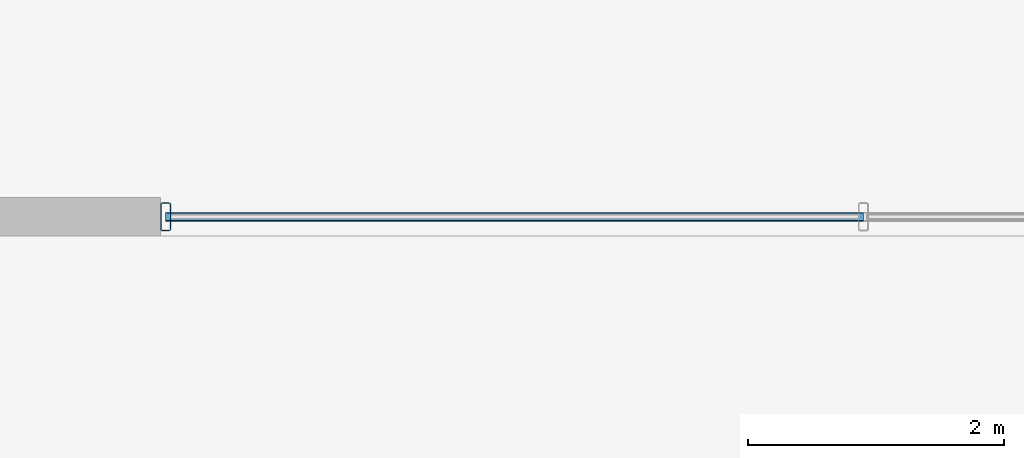
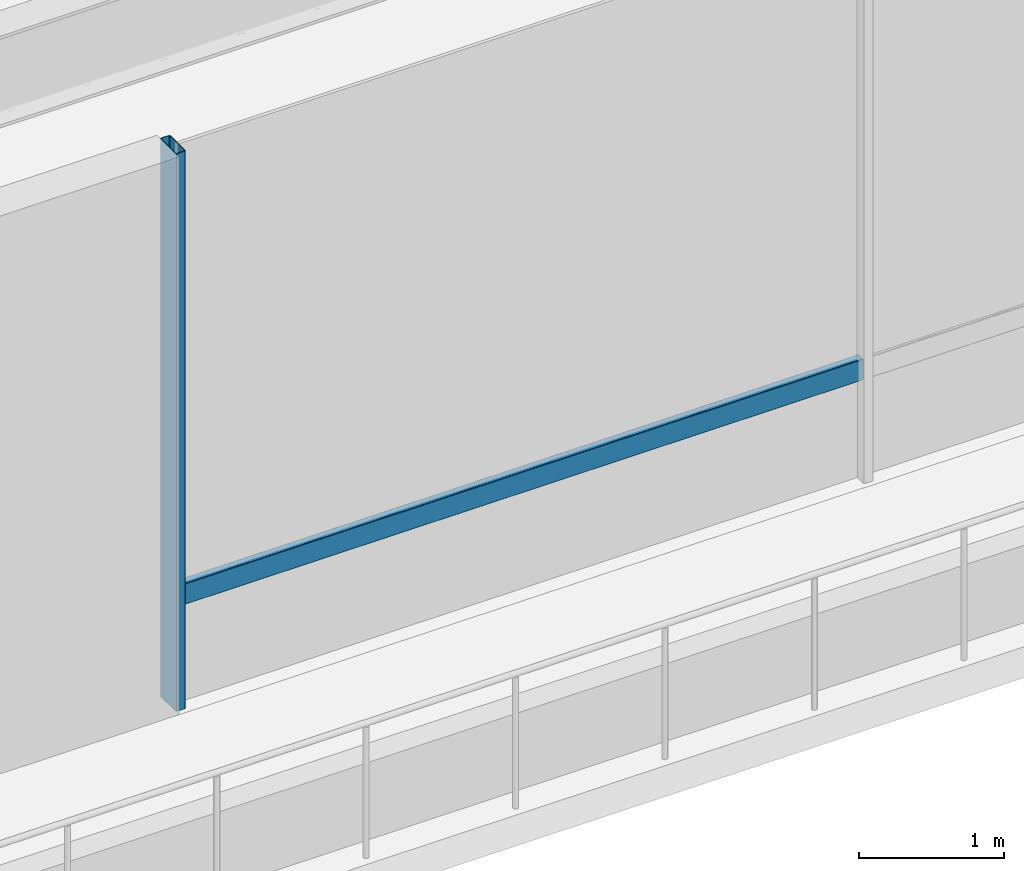
# One storey, part 8 of 38: 2 members, 1 element without a shape of its own.
"""IFC4 building model written with IfcOpenShell, lengths in metres."""

from ifc_helpers import new_model, si_unit, direction, frame, origin, origin_2d, place, context, subcontext, project, spatial, hollow_rectangle, extrude, material, layer, layer_set, material_profile, profile_set, type_object, element, aggregate, save


model = new_model("IFC4")

# Units and contexts
model_context = context("Model", 3, precision=1e-05, world=origin(), true_north=direction((0.0, 1.0)))
body_context = subcontext(model_context, "Body", "Model", "MODEL_VIEW")
ifc_project = project(units=[si_unit("LENGTHUNIT", "METRE"), si_unit("AREAUNIT", "SQUARE_METRE"), si_unit("VOLUMEUNIT", "CUBIC_METRE"), si_unit("PLANEANGLEUNIT", "RADIAN"), si_unit("MASSUNIT", "GRAM", prefix="KILO")], contexts=[model_context])

# Site, building, storey
site_placement = place(None, origin())
site = spatial("IfcSite", under=ifc_project, at=site_placement, CompositionType="ELEMENT")
building_placement = place(site_placement, origin())
building = spatial("IfcBuilding", under=site, at=building_placement, Name="Korimba Cascade Residences", CompositionType="ELEMENT")
storey_placement = place(building_placement, frame((0.0, 0.0, 19.0)))
storey = spatial("IfcBuildingStorey", under=building, at=storey_placement, Name="L04", CompositionType="ELEMENT", Elevation=19.0)

# Curtain wall, members
ifc_material_1 = material(Name="Anodised Aluminium Curtain Wall Framing", Category="aluminium")
ifc_layer = layer(ifc_material_1, 0.179931640625)
ifc_layer_set = layer_set([ifc_layer], Name="Anodised Aluminium Curtain Wall Framing")
curtain_wall_type = type_object("IfcCurtainWallType", Name="CW-POD-SYS1", PredefinedType="NOTDEFINED", material=ifc_layer_set)
curtain_wall_placement = place(storey_placement, origin())
curtain_wall = element("IfcCurtainWall", 1, at=curtain_wall_placement, inside=storey, type_object=curtain_wall_type, Name="L04 Curtain Wall CW-L04-POD-S", PredefinedType="NOTDEFINED")
ifc_material_2 = material(Name="Anodised Aluminium Mullion", Category="aluminium")
ifc_material_profile_1 = material_profile(ifc_material_2, hollow_rectangle(XDim=0.080078125, YDim=0.219970703125, WallThickness=0.00634765625, InnerFilletRadius=0.00634765625, OuterFilletRadius=0.0126953125, at=origin_2d()), Name="Anodised Aluminium Mullion")
ifc_profile_set_1 = profile_set([ifc_material_profile_1], Name="Anodised Aluminium Mullion")
member_type_1 = type_object("IfcMemberType", Name="CWM-MUL-220", PredefinedType="MULLION", material=ifc_profile_set_1)
member_1_placement = place(storey_placement, frame((88.0400390625, -15.64990234375, 0.0), z_axis=(0.0, 0.0, 1.0), x_axis=(1.0, 0.0, 0.0)))
member_1 = element("IfcMember", 2, at=member_1_placement, type_object=member_type_1, Name="CW-L04-POD-S Mullion 1", PredefinedType="MULLION", context=body_context, shape_type="SweptSolid", body=[
    extrude(hollow_rectangle(XDim=0.080078125, YDim=0.219970703125, WallThickness=0.00634765625, InnerFilletRadius=0.00634765625, OuterFilletRadius=0.0126953125, at=origin_2d()), origin(), (0.0, 0.0, 1.0), 4.679931640625),
])
ifc_material_3 = material(Name="Anodised Aluminium Transom", Category="aluminium")
ifc_material_profile_2 = material_profile(ifc_material_3, hollow_rectangle(XDim=0.070068359375, YDim=0.179931640625, WallThickness=0.0048828125, InnerFilletRadius=0.0048828125, OuterFilletRadius=0.010009765625, at=origin_2d()), Name="Anodised Aluminium Transom")
ifc_profile_set_2 = profile_set([ifc_material_profile_2], Name="Anodised Aluminium Transom")
member_type_2 = type_object("IfcMemberType", Name="CWM-TRN-150", PredefinedType="USERDEFINED", material=ifc_profile_set_2)
member_2_placement = place(storey_placement, frame((88.0400390625, -15.64990234375, 0.89990234375), z_axis=(1.0, 0.0, 0.0), x_axis=(0.0, 1.0, 0.0)))
member_2 = element("IfcMember", 3, at=member_2_placement, type_object=member_type_2, Name="CW-L04-POD-S Transom 1", ObjectType="TRANSOM", PredefinedType="USERDEFINED", context=body_context, shape_type="SweptSolid", body=[
    extrude(hollow_rectangle(XDim=0.070068359375, YDim=0.179931640625, WallThickness=0.0048828125, InnerFilletRadius=0.0048828125, OuterFilletRadius=0.010009765625, at=origin_2d()), origin(), (0.0, 0.0, 1.0), 5.4599609375),
])
aggregate(curtain_wall, [member_1, member_2])

save(model, "model.ifc")
